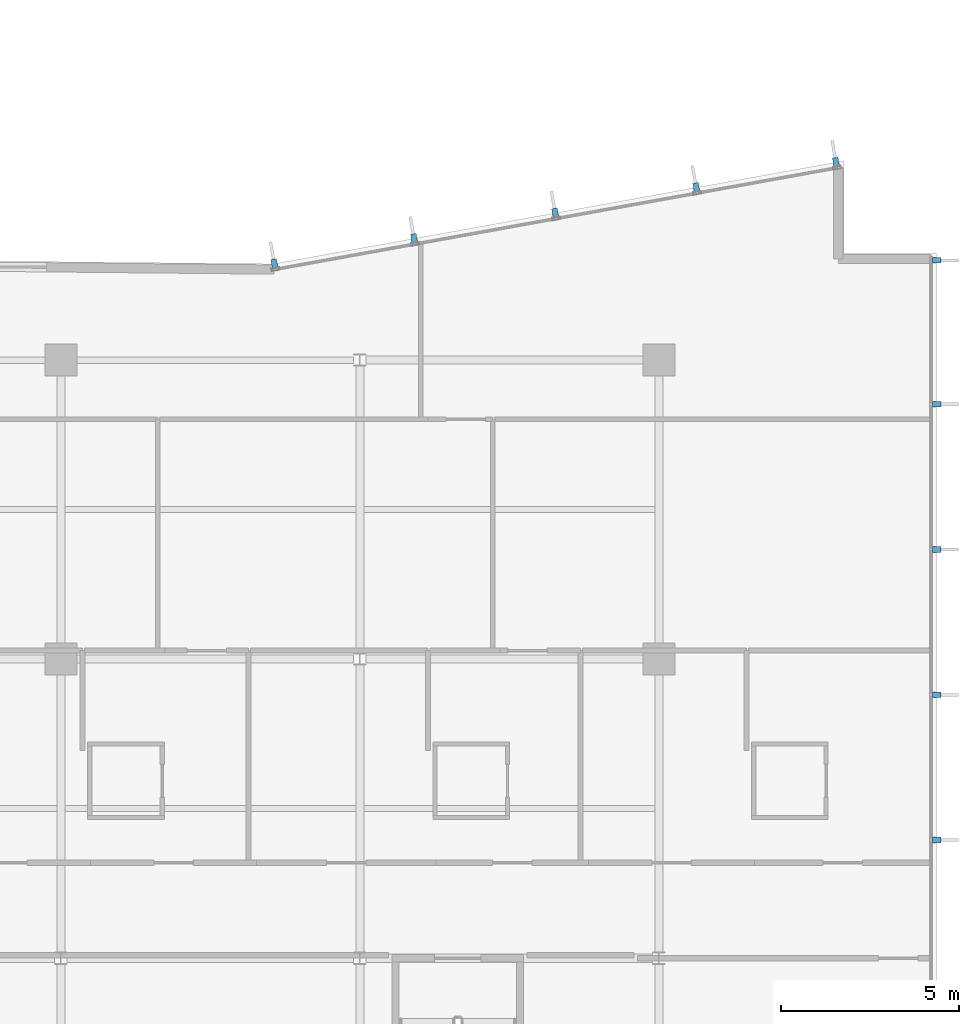
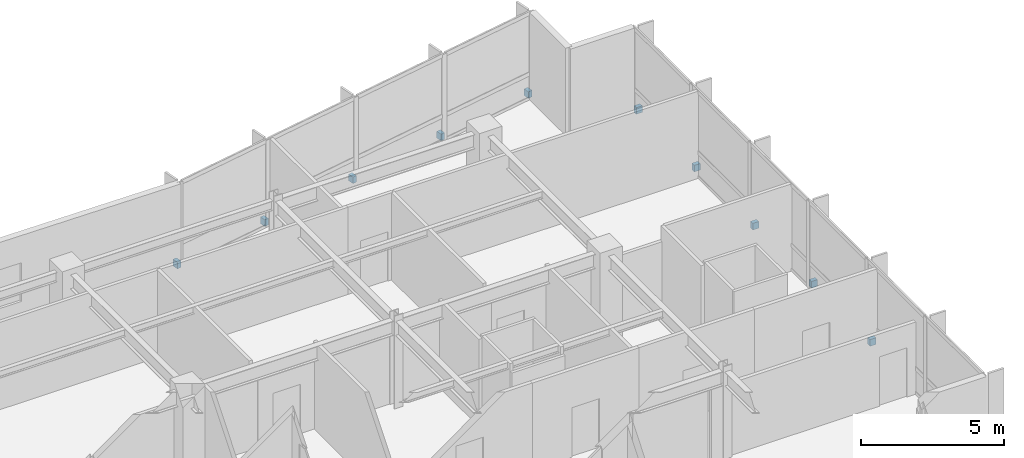
# One storey, part 16 of 20: 10 discrete accessories.
"""IFC4 building model written with IfcOpenShell, lengths in metres."""

import ifcopenshell
import ifcopenshell.guid

model = None  # the IFC model being written
_history = None  # IfcOwnerHistory: only IFC2X3 demands one
_inside = {}  # id of a spatial element -> (the spatial element, [elements in it])
_under = {}  # id of a project, library or spatial element -> (it, [spatial elements below it])
_declared = {}  # id of a project -> (the project, [libraries it declares])
_typed = {}  # id of a type object -> (the type object, [elements of that type])
_made_of = {}  # id of a material, layer set ... -> (it, [elements and type objects made of it])


def new_model(schema):
    """Start an empty IFC model of exactly this schema.

    Asked for "IFC4X3", IfcOpenShell would pick the latest addendum, in which some entities
    have other attributes; the version numbers below select the first issue.
    IFC2X3 requires an IfcOwnerHistory on every rooted entity: one is made here for all.
    """
    global model, _history
    if schema == "IFC4X3":
        model = ifcopenshell.file(schema_version=(4, 3, 0, 0))
    else:
        model = ifcopenshell.file(schema=schema)
    _inside.clear()
    _under.clear()
    _declared.clear()
    _typed.clear()
    _made_of.clear()
    _history = None
    if model.schema == "IFC2X3":
        org = make("IfcOrganization", Name="unknown")
        user = make(
            "IfcPersonAndOrganization",
            ThePerson=make("IfcPerson", FamilyName="unknown"),
            TheOrganization=org,
        )
        app = make(
            "IfcApplication",
            ApplicationDeveloper=org,
            Version="unknown",
            ApplicationFullName="unknown",
            ApplicationIdentifier="unknown",
        )
        _history = make(
            "IfcOwnerHistory",
            OwningUser=user,
            OwningApplication=app,
            ChangeAction="ADDED",
            CreationDate=0,
        )
    return model


def make(cls, **values):
    """One entity of the class cls with the attributes given. An attribute that is None is left unset."""
    return model.create_entity(
        cls, **{name: value for name, value in values.items() if value is not None}
    )


def rooted(cls, **values):
    """An entity with a GlobalId (a new one), such as an element, a storey or a relation."""
    return make(cls, GlobalId=ifcopenshell.guid.new(), OwnerHistory=_history, **values)


def si_unit(unit_type, name, prefix=None):
    """IfcSIUnit, for example si_unit("LENGTHUNIT", "METRE", prefix="MILLI")."""
    return make("IfcSIUnit", UnitType=unit_type, Prefix=prefix, Name=name)


def assignment(units):
    """IfcUnitAssignment: the units of a project."""
    return None if units is None else make("IfcUnitAssignment", Units=units)


def point(xyz):
    """IfcCartesianPoint."""
    return None if xyz is None else make("IfcCartesianPoint", Coordinates=xyz)


def direction(xyz):
    """IfcDirection."""
    return None if xyz is None else make("IfcDirection", DirectionRatios=xyz)


def frame(location, z_axis=None, x_axis=None):
    """IfcAxis2Placement3D, a coordinate frame: its origin and axes. An axis left out is left unset."""
    return make(
        "IfcAxis2Placement3D",
        Location=point(location),
        Axis=direction(z_axis),
        RefDirection=direction(x_axis),
    )


def frame_2d(location, x_axis=None):
    """IfcAxis2Placement2D, a coordinate frame in the plane: its origin and x axis."""
    return make(
        "IfcAxis2Placement2D", Location=point(location), RefDirection=direction(x_axis)
    )


def origin():
    """The frame at (0, 0, 0) with its axes left unset."""
    return frame((0.0, 0.0, 0.0))


def origin_2d():
    """The frame at (0, 0) in the plane with its x axis left unset."""
    return frame_2d((0.0, 0.0))


def place(relative_to, where):
    """IfcLocalPlacement: puts the frame where relative to a parent placement (None: the world)."""
    return make(
        "IfcLocalPlacement", PlacementRelTo=relative_to, RelativePlacement=where
    )


def context(
    kind, dimensions, precision=None, world=None, true_north=None, identifier=None
):
    """IfcGeometricRepresentationContext, for example the 3D "Model" context."""
    return make(
        "IfcGeometricRepresentationContext",
        ContextIdentifier=identifier,
        ContextType=kind,
        CoordinateSpaceDimension=dimensions,
        Precision=precision,
        WorldCoordinateSystem=world,
        TrueNorth=true_north,
    )


def subcontext(parent, identifier, kind, view, scale=None):
    """IfcGeometricRepresentationSubContext, for example "Body" below "Model"."""
    return make(
        "IfcGeometricRepresentationSubContext",
        ContextIdentifier=identifier,
        ContextType=kind,
        ParentContext=parent,
        TargetScale=scale,
        TargetView=view,
    )


def project(units=None, contexts=None):
    """IfcProject with its units and contexts."""
    return rooted(
        "IfcProject",
        Name="project",
        RepresentationContexts=contexts,
        UnitsInContext=assignment(units),
    )


def spatial(cls, under=None, at=None, **own):
    """A site, building, storey or space (cls), placed at a placement, below another one or the project."""
    s = rooted(cls, ObjectPlacement=at, **own)
    if under is not None:
        _under.setdefault(under.id(), (under, []))[1].append(s)
    return s


def profile(cls, at=None, kind="AREA", **sizes):
    """A parametric profile (cls). Its sizes go by their IFC names, for example OverallWidth=200.0."""
    return make(cls, ProfileType=kind, Position=at, **sizes)


def rectangle(**sizes):
    """IfcRectangleProfileDef."""
    return profile("IfcRectangleProfileDef", **sizes)


def extrude(swept, where, along, depth):
    """IfcExtrudedAreaSolid: the profile swept, set in the frame where, extruded along a direction by depth."""
    return make(
        "IfcExtrudedAreaSolid",
        SweptArea=swept,
        Position=where,
        ExtrudedDirection=direction(along),
        Depth=depth,
    )


def shape(context_of_items, identifier, shape_type, items):
    """IfcShapeRepresentation: the items that make up one representation, for example the "Body"."""
    return make(
        "IfcShapeRepresentation",
        ContextOfItems=context_of_items,
        RepresentationIdentifier=identifier,
        RepresentationType=shape_type,
        Items=items,
    )


def material(Name=None, Category=None):
    """IfcMaterial."""
    return make("IfcMaterial", Name=Name, Category=Category)


def made_of(thing, what):
    """Note that an element or type object is made of a material, layer set ...; save() writes the relation."""
    if what is not None:
        _made_of.setdefault(what.id(), (what, []))[1].append(thing)
    return thing


def type_object(cls, material=None, **own):
    """A type object (cls), such as IfcWallType, which elements share."""
    return made_of(rooted(cls, **own), material)


def element(
    cls,
    number,
    at=None,
    inside=None,
    cuts=None,
    type_object=None,
    material=None,
    context=None,
    identifier="Body",
    shape_type=None,
    held_by="IfcProductDefinitionShape",
    body=None,
    shapes=None,
    **own,
):
    """One element of the class cls, such as IfcWall. Its Tag is "e" and its number.

    at: its placement. inside: the storey or other place that contains it. cuts: it is an
    opening in that element (IfcRelVoidsElement). A single representation is given by context,
    identifier, shape_type and body (its items); several are given by shapes. held_by: the class
    of the entity that holds the representations. save() writes the other relations.
    """
    e = rooted(cls, Tag="e%d" % number, ObjectPlacement=at, **own)
    if body is not None:
        shapes = [shape(context, identifier, shape_type, body)]
    if shapes is not None:
        e.Representation = make(held_by, Representations=shapes)
    if inside is not None:
        _inside.setdefault(inside.id(), (inside, []))[1].append(e)
    if cuts is not None:
        rooted(
            "IfcRelVoidsElement", RelatingBuildingElement=cuts, RelatedOpeningElement=e
        )
    if type_object is not None:
        _typed.setdefault(type_object.id(), (type_object, []))[1].append(e)
    return made_of(e, material)


def aggregate(whole, parts):
    """IfcRelAggregates: a whole, such as a stair, and the parts it consists of."""
    return rooted("IfcRelAggregates", RelatingObject=whole, RelatedObjects=parts)


def save(model, path):
    """Write the relations noted so far, then the file.

    IfcRelAggregates (storeys below a building ...), IfcRelContainedInSpatialStructure (elements
    in a storey), IfcRelDefinesByType, IfcRelAssociatesMaterial and IfcRelDeclares: one each for
    every whole, place, type object, material and project.
    """
    for whole, parts in _under.values():
        aggregate(whole, parts)
    for where, things in _inside.values():
        rooted(
            "IfcRelContainedInSpatialStructure",
            RelatedElements=things,
            RelatingStructure=where,
        )
    for kind, things in _typed.values():
        rooted("IfcRelDefinesByType", RelatedObjects=things, RelatingType=kind)
    for what, things in _made_of.values():
        rooted("IfcRelAssociatesMaterial", RelatedObjects=things, RelatingMaterial=what)
    for by, libraries in _declared.values():
        rooted("IfcRelDeclares", RelatingContext=by, RelatedDefinitions=libraries)
    model.write(path)


model = new_model("IFC4")

# Units and contexts
model_context = context("Model", 3, precision=1e-05, world=origin(), true_north=direction((0.0, 1.0)))
body_context = subcontext(model_context, "Body", "Model", "MODEL_VIEW")
ifc_project = project(units=[si_unit("LENGTHUNIT", "METRE"), si_unit("AREAUNIT", "SQUARE_METRE"), si_unit("VOLUMEUNIT", "CUBIC_METRE"), si_unit("PLANEANGLEUNIT", "RADIAN"), si_unit("MASSUNIT", "GRAM", prefix="KILO")], contexts=[model_context])

# Site, building, storey
site_placement = place(None, origin())
site = spatial("IfcSite", under=ifc_project, at=site_placement, CompositionType="ELEMENT")
building_placement = place(site_placement, origin())
building = spatial("IfcBuilding", under=site, at=building_placement, Name="Varnakote Quay Hospital", CompositionType="ELEMENT")
storey_placement = place(building_placement, frame((0.0, 0.0, 26.449951171875)))
storey = spatial("IfcBuildingStorey", under=building, at=storey_placement, Name="L06", CompositionType="ELEMENT", Elevation=26.449951171875)

# Discrete accessories
ifc_material = material(Name="Anodised aluminium 6063-T6 Bronze", Category="aluminium")
discrete_accessory_type = type_object("IfcDiscreteAccessoryType", Name="ACC-FIN-BRACKET-180", PredefinedType="BRACKET", material=ifc_material)
for number, where, z_axis, x_axis, name in (
    (1, (58.2099609375, 15.320068359375, 0.0), (0.0, 0.0, 1.0), (0.0, 1.0, 0.0), "L06 Curtain Wall Fin Fixing Bracket"),
    (2, (58.2099609375, 19.39990234375, 0.0), (0.0, 0.0, 1.0), (0.0, 1.0, 0.0), "L06 Curtain Wall Fin Fixing Bracket"),
    (3, (58.2099609375, 23.47998046875, 0.0), (0.0, 0.0, 1.0), (0.0, 1.0, 0.0), "L06 Curtain Wall Fin Fixing Bracket"),
    (4, (58.2099609375, 27.56005859375, 0.0), (0.0, 0.0, 1.0), (0.0, 1.0, 0.0), "L06 Curtain Wall Fin Fixing Bracket"),
    (5, (58.2099609375, 31.6025390625, 0.0), (0.0, 0.0, 1.0), (0.0, 1.0, 0.0), "L06 Curtain Wall Fin Fixing Bracket"),
    (6, (55.372802734375, 34.369140625, 0.0), (0.0, 0.0, 1.0), (-0.984071739666, -0.177771795263, 0.0), "L06 Curtain Wall Fin Fixing Bracket"),
    (7, (51.447265625, 33.65966796875, 0.0), (0.0, 0.0, 1.0), (-0.984071739666, -0.177771795263, 0.0), "L06 Curtain Wall Fin Fixing Bracket"),
    (8, (47.484619140625, 32.943603515625, 0.0), (0.0, 0.0, 1.0), (-0.984071739666, -0.177771795263, 0.0), "L06 Curtain Wall Fin Fixing Bracket"),
    (9, (43.52197265625, 32.227294921875, 0.0), (0.0, 0.0, 1.0), (-0.984071739666, -0.177771795263, 0.0), "L06 Curtain Wall Fin Fixing Bracket"),
    (10, (39.59619140625, 31.517822265625, 0.0), (0.0, 0.0, 1.0), (-0.984071739666, -0.177771795263, 0.0), "L06 Curtain Wall Fin Fixing Bracket"),
):
    element("IfcDiscreteAccessory", number, at=place(storey_placement, frame(where, z_axis=z_axis, x_axis=x_axis)), inside=storey, type_object=discrete_accessory_type, Name=name, PredefinedType="BRACKET", context=body_context, shape_type="SweptSolid", body=[
        extrude(rectangle(XDim=0.159912109375, YDim=0.239990234375, at=origin_2d()), origin(), (0.0, 0.0, 1.0), 0.280029296875),
    ])

save(model, "model.ifc")
